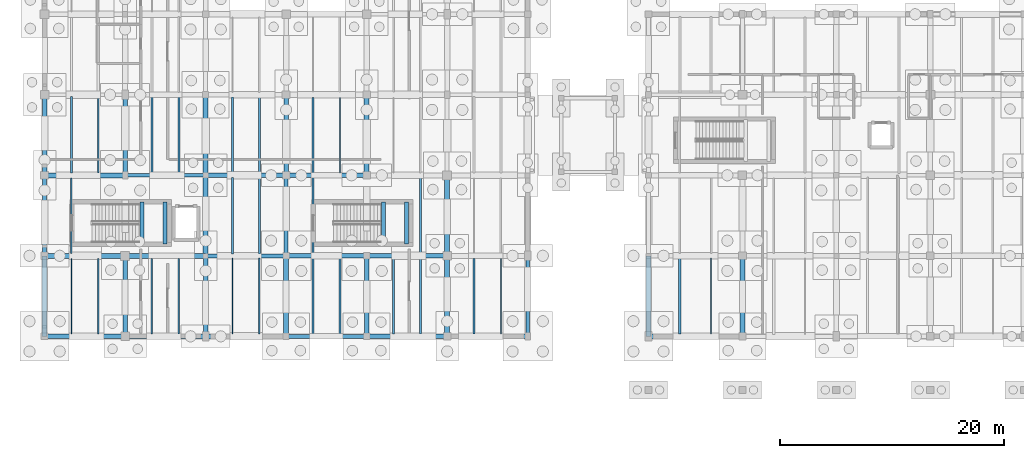
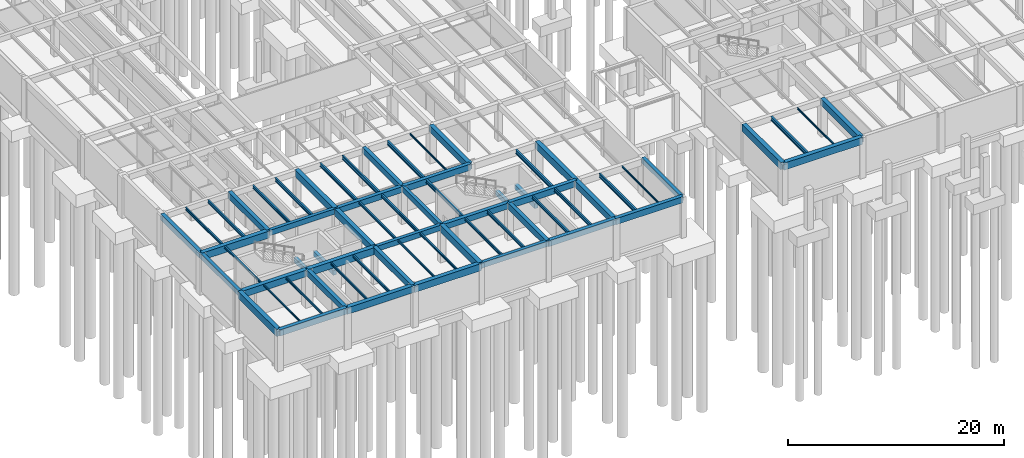
# One storey, part 23 of 63: 65 beams.
"""IFC4 building model written with IfcOpenShell, lengths in metres."""

from ifc_helpers import new_model, si_unit, direction, frame, origin, origin_2d, place, context, subcontext, project, spatial, rectangle, i_section, extrude, material, material_profile, profile_set, type_object, element, save


model = new_model("IFC4")

# Units and contexts
model_context = context("Model", 3, precision=1e-05, world=origin(), true_north=direction((0.0, 1.0)))
body_context = subcontext(model_context, "Body", "Model", "MODEL_VIEW")
ifc_project = project(units=[si_unit("LENGTHUNIT", "METRE"), si_unit("AREAUNIT", "SQUARE_METRE"), si_unit("VOLUMEUNIT", "CUBIC_METRE"), si_unit("PLANEANGLEUNIT", "RADIAN"), si_unit("MASSUNIT", "GRAM", prefix="KILO")], contexts=[model_context])

# Site, building, storey
site_placement = place(None, origin())
site = spatial("IfcSite", under=ifc_project, at=site_placement, CompositionType="ELEMENT")
building_placement = place(site_placement, origin())
building = spatial("IfcBuilding", under=site, at=building_placement, Name="Mazaris Harbour Polytechnic", CompositionType="ELEMENT")
storey_placement = place(building_placement, frame((0.0, 0.0, -4.5)))
storey = spatial("IfcBuildingStorey", under=building, at=storey_placement, Name="B1", CompositionType="ELEMENT", Elevation=-4.5)

# Beams
ifc_material_1 = material(Name="Concrete C35/45", Category="concrete")
ifc_material_profile_1 = material_profile(ifc_material_1, rectangle(XDim=0.35009765625, YDim=0.60009765625, at=origin_2d()), Name="RECT350x600")
ifc_profile_set_1 = profile_set([ifc_material_profile_1], Name="Concrete C35/45")
beam_type_1 = type_object("IfcBeamType", Name="RC Girder 350x600", PredefinedType="BEAM", material=ifc_profile_set_1)
beam_1_placement = place(storey_placement, frame((14.39990234375, 14.39990234375, 3.8798828125), z_axis=(1.0, 0.0, 0.0), x_axis=(0.0, 1.0, 0.0)))
element("IfcBeam", 1, at=beam_1_placement, inside=storey, type_object=beam_type_1, Name="V4 B1 Girder 1090", PredefinedType="BEAM", context=body_context, shape_type="SweptSolid", body=[
    extrude(rectangle(XDim=0.35009765625, YDim=0.60009765625, at=origin_2d()), origin(), (0.0, 0.0, 1.0), 7.2001953125),
])
beam_2_placement = place(storey_placement, frame((7.199951171875, 21.60009765625, 3.8798828125), z_axis=(1.0, 0.0, 0.0), x_axis=(0.0, 1.0, 0.0)))
element("IfcBeam", 2, at=beam_2_placement, inside=storey, type_object=beam_type_1, Name="V4 B1 Girder 1095", PredefinedType="BEAM", context=body_context, shape_type="SweptSolid", body=[
    extrude(rectangle(XDim=0.35009765625, YDim=0.60009765625, at=origin_2d()), origin(), (0.0, 0.0, 1.0), 7.199951171875),
])
beam_3_placement = place(storey_placement, frame((21.60009765625, 14.39990234375, 3.8798828125), z_axis=(0.0, 1.0, 0.0), x_axis=(-1.0, 0.0, 0.0)))
element("IfcBeam", 3, at=beam_3_placement, inside=storey, type_object=beam_type_1, Name="V4 B1 Tie Girder 1190", PredefinedType="BEAM", context=body_context, shape_type="SweptSolid", body=[
    extrude(rectangle(XDim=0.35009765625, YDim=0.60009765625, at=origin_2d()), origin(), (0.0, 0.0, 1.0), 7.2001953125),
])
ifc_material_2 = material(Name="Concrete C35/45", Category="concrete")
ifc_material_profile_2 = material_profile(ifc_material_2, rectangle(XDim=0.35009765625, YDim=0.60009765625, at=origin_2d()), Name="RECT350x600")
ifc_profile_set_2 = profile_set([ifc_material_profile_2], Name="Concrete C35/45")
beam_type_2 = type_object("IfcBeamType", Name="RC Girder 350x600 Exterior", PredefinedType="BEAM", material=ifc_profile_set_2)
beam_4_placement = place(storey_placement, frame((21.60009765625, 7.199951171875, 3.8798828125), z_axis=(1.0, 0.0, 0.0), x_axis=(0.0, 1.0, 0.0)))
element("IfcBeam", 4, at=beam_4_placement, inside=storey, type_object=beam_type_2, Name="V4 B1 Girder 1085", PredefinedType="BEAM", context=body_context, shape_type="SweptSolid", body=[
    extrude(rectangle(XDim=0.35009765625, YDim=0.60009765625, at=origin_2d()), origin(), (0.0, 0.0, 1.0), 7.199951171875),
])
beam_5_placement = place(storey_placement, frame((0.0, 14.39990234375, 3.8798828125), z_axis=(0.0, 1.0, 0.0), x_axis=(-1.0, 0.0, 0.0)))
element("IfcBeam", 5, at=beam_5_placement, inside=storey, type_object=beam_type_2, Name="V4 B1 Tie Girder 1155", PredefinedType="BEAM", context=body_context, shape_type="SweptSolid", body=[
    extrude(rectangle(XDim=0.35009765625, YDim=0.60009765625, at=origin_2d()), origin(), (0.0, 0.0, 1.0), 7.2001953125),
])
beam_6_placement = place(storey_placement, frame((43.199951171875, 7.199951171875, 3.8798828125), z_axis=(0.0, 1.0, 0.0), x_axis=(-1.0, 0.0, 0.0)))
element("IfcBeam", 6, at=beam_6_placement, inside=storey, type_object=beam_type_2, Name="V4 B1 Tie Girder 1220", PredefinedType="BEAM", context=body_context, shape_type="SweptSolid", body=[
    extrude(rectangle(XDim=0.35009765625, YDim=0.60009765625, at=origin_2d()), origin(), (0.0, 0.0, 1.0), 7.199951171875),
])
ifc_material_3 = material(Name="Concrete C35/45", Category="concrete")
ifc_material_profile_3 = material_profile(ifc_material_3, rectangle(XDim=0.39990234375, YDim=0.64990234375, at=origin_2d()), Name="RECT400x650")
ifc_profile_set_3 = profile_set([ifc_material_profile_3], Name="Concrete C35/45")
beam_type_3 = type_object("IfcBeamType", Name="RC Girder 400x650", PredefinedType="BEAM", material=ifc_profile_set_3)
beam_7_placement = place(storey_placement, frame((21.60009765625, 14.39990234375, 3.85498046875), z_axis=(1.0, 0.0, 0.0), x_axis=(0.0, 1.0, 0.0)))
element("IfcBeam", 7, at=beam_7_placement, inside=storey, type_object=beam_type_3, Name="V4 B1 Girder 1091", PredefinedType="BEAM", context=body_context, shape_type="SweptSolid", body=[
    extrude(rectangle(XDim=0.39990234375, YDim=0.64990234375, at=origin_2d()), origin(), (0.0, 0.0, 1.0), 7.199951171875),
])
beam_8_placement = place(storey_placement, frame((14.39990234375, 21.60009765625, 3.85498046875), z_axis=(1.0, 0.0, 0.0), x_axis=(0.0, 1.0, 0.0)))
element("IfcBeam", 8, at=beam_8_placement, inside=storey, type_object=beam_type_3, Name="V4 B1 Girder 1096", PredefinedType="BEAM", context=body_context, shape_type="SweptSolid", body=[
    extrude(rectangle(XDim=0.39990234375, YDim=0.64990234375, at=origin_2d()), origin(), (0.0, 0.0, 1.0), 7.2001953125),
])
for number, where, z_axis, x_axis, name in (
    (9, (7.199951171875, 7.199951171875, 3.85498046875), (0.0, 1.0, 0.0), (-1.0, 0.0, 0.0), "V4 B1 Tie Girder 1166"),
    (10, (21.60009765625, 21.60009765625, 3.85498046875), (0.0, 1.0, 0.0), (-1.0, 0.0, 0.0), "V4 B1 Tie Girder 1191"),
):
    element("IfcBeam", number, at=place(storey_placement, frame(where, z_axis=z_axis, x_axis=x_axis)), inside=storey, type_object=beam_type_3, Name=name, PredefinedType="BEAM", context=body_context, shape_type="SweptSolid", body=[
        extrude(rectangle(XDim=0.39990234375, YDim=0.64990234375, at=origin_2d()), origin(), (0.0, 0.0, 1.0), 7.199951171875),
    ])
ifc_material_4 = material(Name="Concrete C35/45", Category="concrete")
ifc_material_profile_4 = material_profile(ifc_material_4, rectangle(XDim=0.39990234375, YDim=0.64990234375, at=origin_2d()), Name="RECT400x650")
ifc_profile_set_4 = profile_set([ifc_material_profile_4], Name="Concrete C35/45")
beam_type_4 = type_object("IfcBeamType", Name="RC Girder 400x650 Exterior", PredefinedType="BEAM", material=ifc_profile_set_4)
for number, where, z_axis, x_axis, name in (
    (11, (28.800048828125, 7.199951171875, 3.85498046875), (1.0, 0.0, 0.0), (0.0, 1.0, 0.0), "V4 B1 Girder 1086"),
    (12, (0.0, 21.60009765625, 3.85498046875), (0.0, 1.0, 0.0), (-1.0, 0.0, 0.0), "V4 B1 Tie Girder 1156"),
):
    element("IfcBeam", number, at=place(storey_placement, frame(where, z_axis=z_axis, x_axis=x_axis)), inside=storey, type_object=beam_type_4, Name=name, PredefinedType="BEAM", context=body_context, shape_type="SweptSolid", body=[
        extrude(rectangle(XDim=0.39990234375, YDim=0.64990234375, at=origin_2d()), origin(), (0.0, 0.0, 1.0), 7.199951171875),
    ])
ifc_material_5 = material(Name="Concrete C35/45", Category="concrete")
ifc_material_profile_5 = material_profile(ifc_material_5, rectangle(XDim=0.39990234375, YDim=0.699951171875, at=origin_2d()), Name="RECT400x700")
ifc_profile_set_5 = profile_set([ifc_material_profile_5], Name="Concrete C35/45")
beam_type_5 = type_object("IfcBeamType", Name="RC Girder 400x700", PredefinedType="BEAM", material=ifc_profile_set_5)
for number, where, z_axis, x_axis, name in (
    (13, (28.800048828125, 14.39990234375, 3.830078125), (1.0, 0.0, 0.0), (0.0, 1.0, 0.0), "V4 B1 Girder 1092"),
    (14, (21.60009765625, 21.60009765625, 3.830078125), (1.0, 0.0, 0.0), (0.0, 1.0, 0.0), "V4 B1 Girder 1097"),
    (15, (7.199951171875, 21.60009765625, 3.830078125), (0.0, 1.0, 0.0), (-1.0, 0.0, 0.0), "V4 B1 Tie Girder 1167"),
    (16, (14.39990234375, 7.199951171875, 3.830078125), (0.0, 1.0, 0.0), (-1.0, 0.0, 0.0), "V4 B1 Tie Girder 1177"),
    (17, (28.800048828125, 7.199951171875, 3.830078125), (0.0, 1.0, 0.0), (-1.0, 0.0, 0.0), "V4 B1 Tie Girder 1197"),
):
    element("IfcBeam", number, at=place(storey_placement, frame(where, z_axis=z_axis, x_axis=x_axis)), inside=storey, type_object=beam_type_5, Name=name, PredefinedType="BEAM", context=body_context, shape_type="SweptSolid", body=[
        extrude(rectangle(XDim=0.39990234375, YDim=0.699951171875, at=origin_2d()), origin(), (0.0, 0.0, 1.0), 7.199951171875),
    ])
ifc_material_6 = material(Name="Concrete C35/45", Category="concrete")
ifc_material_profile_6 = material_profile(ifc_material_6, rectangle(XDim=0.39990234375, YDim=0.699951171875, at=origin_2d()), Name="RECT400x700")
ifc_profile_set_6 = profile_set([ifc_material_profile_6], Name="Concrete C35/45")
beam_type_6 = type_object("IfcBeamType", Name="RC Girder 400x700 Exterior", PredefinedType="BEAM", material=ifc_profile_set_6)
for number, where, z_axis, x_axis, name in (
    (18, (0.0, 7.199951171875, 3.830078125), (1.0, 0.0, 0.0), (0.0, 1.0, 0.0), "V4 B1 Girder 1082"),
    (19, (36.0, 7.199951171875, 3.830078125), (1.0, 0.0, 0.0), (0.0, 1.0, 0.0), "V4 B1 Girder 1087"),
):
    element("IfcBeam", number, at=place(storey_placement, frame(where, z_axis=z_axis, x_axis=x_axis)), inside=storey, type_object=beam_type_6, Name=name, PredefinedType="BEAM", context=body_context, shape_type="SweptSolid", body=[
        extrude(rectangle(XDim=0.39990234375, YDim=0.699951171875, at=origin_2d()), origin(), (0.0, 0.0, 1.0), 7.199951171875),
    ])
ifc_material_7 = material(Name="Concrete C40/50", Category="concrete")
ifc_material_profile_7 = material_profile(ifc_material_7, rectangle(XDim=0.449951171875, YDim=0.75, at=origin_2d()), Name="RECT450x750")
ifc_profile_set_7 = profile_set([ifc_material_profile_7], Name="Concrete C40/50")
beam_type_7 = type_object("IfcBeamType", Name="RC Girder 450x750", PredefinedType="BEAM", material=ifc_profile_set_7)
for number, where, z_axis, x_axis, name in (
    (20, (62.39990234375, 7.199951171875, 3.804931640625), (0.0, 1.0, 0.0), (-1.0, 0.0, 0.0), "V3 B1 Tie Girder 778"),
    (21, (0.0, 14.39990234375, 3.804931640625), (1.0, 0.0, 0.0), (0.0, 1.0, 0.0), "V4 B1 Girder 1088"),
):
    element("IfcBeam", number, at=place(storey_placement, frame(where, z_axis=z_axis, x_axis=x_axis)), inside=storey, type_object=beam_type_7, Name=name, PredefinedType="BEAM", context=body_context, shape_type="SweptSolid", body=[
        extrude(rectangle(XDim=0.449951171875, YDim=0.75, at=origin_2d()), origin(), (0.0, 0.0, 1.0), 7.199951171875),
    ])
beam_9_placement = place(storey_placement, frame((14.39990234375, 14.39990234375, 3.804931640625), z_axis=(0.0, 1.0, 0.0), x_axis=(-1.0, 0.0, 0.0)))
element("IfcBeam", 22, at=beam_9_placement, inside=storey, type_object=beam_type_7, Name="V4 B1 Tie Girder 1178", PredefinedType="BEAM", context=body_context, shape_type="SweptSolid", body=[
    extrude(rectangle(XDim=0.449951171875, YDim=0.75, at=origin_2d()), origin(), (0.0, 0.0, 1.0), 7.2001953125),
])
for number, where, z_axis, x_axis, name in (
    (23, (28.800048828125, 21.60009765625, 3.804931640625), (0.0, 1.0, 0.0), (-1.0, 0.0, 0.0), "V4 B1 Tie Girder 1198"),
    (24, (36.0, 7.199951171875, 3.804931640625), (0.0, 1.0, 0.0), (-1.0, 0.0, 0.0), "V4 B1 Tie Girder 1208"),
):
    element("IfcBeam", number, at=place(storey_placement, frame(where, z_axis=z_axis, x_axis=x_axis)), inside=storey, type_object=beam_type_7, Name=name, PredefinedType="BEAM", context=body_context, shape_type="SweptSolid", body=[
        extrude(rectangle(XDim=0.449951171875, YDim=0.75, at=origin_2d()), origin(), (0.0, 0.0, 1.0), 7.199951171875),
    ])
ifc_material_8 = material(Name="Concrete C40/50", Category="concrete")
ifc_material_profile_8 = material_profile(ifc_material_8, rectangle(XDim=0.449951171875, YDim=0.75, at=origin_2d()), Name="RECT450x750")
ifc_profile_set_8 = profile_set([ifc_material_profile_8], Name="Concrete C40/50")
beam_type_8 = type_object("IfcBeamType", Name="RC Girder 450x750 Exterior", PredefinedType="BEAM", material=ifc_profile_set_8)
beam_10_placement = place(storey_placement, frame((7.199951171875, 7.199951171875, 3.804931640625), z_axis=(1.0, 0.0, 0.0), x_axis=(0.0, 1.0, 0.0)))
element("IfcBeam", 25, at=beam_10_placement, inside=storey, type_object=beam_type_8, Name="V4 B1 Girder 1083", PredefinedType="BEAM", context=body_context, shape_type="SweptSolid", body=[
    extrude(rectangle(XDim=0.449951171875, YDim=0.75, at=origin_2d()), origin(), (0.0, 0.0, 1.0), 7.199951171875),
])
ifc_material_9 = material(Name="Concrete C40/50", Category="concrete")
ifc_material_profile_9 = material_profile(ifc_material_9, rectangle(XDim=0.449951171875, YDim=0.800048828125, at=origin_2d()), Name="RECT450x800")
ifc_profile_set_9 = profile_set([ifc_material_profile_9], Name="Concrete C40/50")
beam_type_9 = type_object("IfcBeamType", Name="RC Girder 450x800", PredefinedType="BEAM", material=ifc_profile_set_9)
for number, where, z_axis, x_axis, name in (
    (26, (7.199951171875, 14.39990234375, 3.780029296875), (1.0, 0.0, 0.0), (0.0, 1.0, 0.0), "V4 B1 Girder 1089"),
    (27, (0.0, 21.60009765625, 3.780029296875), (1.0, 0.0, 0.0), (0.0, 1.0, 0.0), "V4 B1 Girder 1094"),
    (28, (14.39990234375, 21.60009765625, 3.780029296875), (0.0, 1.0, 0.0), (-1.0, 0.0, 0.0), "V4 B1 Tie Girder 1179"),
    (29, (21.60009765625, 7.199951171875, 3.780029296875), (0.0, 1.0, 0.0), (-1.0, 0.0, 0.0), "V4 B1 Tie Girder 1189"),
):
    element("IfcBeam", number, at=place(storey_placement, frame(where, z_axis=z_axis, x_axis=x_axis)), inside=storey, type_object=beam_type_9, Name=name, PredefinedType="BEAM", context=body_context, shape_type="SweptSolid", body=[
        extrude(rectangle(XDim=0.449951171875, YDim=0.800048828125, at=origin_2d()), origin(), (0.0, 0.0, 1.0), 7.199951171875),
    ])
beam_11_placement = place(storey_placement, frame((36.0, 14.39990234375, 3.780029296875), z_axis=(0.0, 1.0, 0.0), x_axis=(-1.0, 0.0, 0.0)))
element("IfcBeam", 30, at=beam_11_placement, inside=storey, type_object=beam_type_9, Name="V4 B1 Tie Girder 1209", PredefinedType="BEAM", context=body_context, shape_type="SweptSolid", body=[
    extrude(rectangle(XDim=0.449951171875, YDim=0.800048828125, at=origin_2d()), origin(), (0.0, 0.0, 1.0), 7.2001953125),
])
ifc_material_10 = material(Name="Concrete C40/50", Category="concrete")
ifc_material_profile_10 = material_profile(ifc_material_10, rectangle(XDim=0.449951171875, YDim=0.800048828125, at=origin_2d()), Name="RECT450x800")
ifc_profile_set_10 = profile_set([ifc_material_profile_10], Name="Concrete C40/50")
beam_type_10 = type_object("IfcBeamType", Name="RC Girder 450x800 Exterior", PredefinedType="BEAM", material=ifc_profile_set_10)
beam_12_placement = place(storey_placement, frame((54.0, 7.199951171875, 3.780029296875), z_axis=(1.0, 0.0, 0.0), x_axis=(0.0, 1.0, 0.0)))
element("IfcBeam", 31, at=beam_12_placement, inside=storey, type_object=beam_type_10, Name="V3 B1 Girder 739", PredefinedType="BEAM", context=body_context, shape_type="SweptSolid", body=[
    extrude(rectangle(XDim=0.449951171875, YDim=0.800048828125, at=origin_2d()), origin(), (0.0, 0.0, 1.0), 8.39990234375),
])
beam_13_placement = place(storey_placement, frame((54.0, 7.199951171875, 3.780029296875), z_axis=(0.0, 1.0, 0.0), x_axis=(-1.0, 0.0, 0.0)))
element("IfcBeam", 32, at=beam_13_placement, inside=storey, type_object=beam_type_10, Name="V3 B1 Tie Girder 774", PredefinedType="BEAM", context=body_context, shape_type="SweptSolid", body=[
    extrude(rectangle(XDim=0.449951171875, YDim=0.800048828125, at=origin_2d()), origin(), (0.0, 0.0, 1.0), 7.199951171875),
])
beam_14_placement = place(storey_placement, frame((14.39990234375, 7.199951171875, 3.780029296875), z_axis=(1.0, 0.0, 0.0), x_axis=(0.0, 1.0, 0.0)))
element("IfcBeam", 33, at=beam_14_placement, inside=storey, type_object=beam_type_10, Name="V4 B1 Girder 1084", PredefinedType="BEAM", context=body_context, shape_type="SweptSolid", body=[
    extrude(rectangle(XDim=0.449951171875, YDim=0.800048828125, at=origin_2d()), origin(), (0.0, 0.0, 1.0), 7.2001953125),
])
beam_15_placement = place(storey_placement, frame((0.0, 7.199951171875, 3.780029296875), z_axis=(0.0, 1.0, 0.0), x_axis=(-1.0, 0.0, 0.0)))
element("IfcBeam", 34, at=beam_15_placement, inside=storey, type_object=beam_type_10, Name="V4 B1 Tie Girder 1154", PredefinedType="BEAM", context=body_context, shape_type="SweptSolid", body=[
    extrude(rectangle(XDim=0.449951171875, YDim=0.800048828125, at=origin_2d()), origin(), (0.0, 0.0, 1.0), 7.199951171875),
])
ifc_material_11 = material(Name="Concrete C40/50", Category="concrete")
ifc_material_profile_11 = material_profile(ifc_material_11, rectangle(XDim=0.35009765625, YDim=0.52001953125, at=origin_2d()), Name="RECT350x520")
ifc_profile_set_11 = profile_set([ifc_material_profile_11], Name="Concrete C40/50")
beam_type_11 = type_object("IfcBeamType", Name="RC Landing Bearer 350x520", PredefinedType="BEAM", material=ifc_profile_set_11)
for number, where, z_axis, x_axis, name in (
    (35, (8.699951171875, 15.449951171875, 1.7900390625), (0.0, 1.0, 0.0), (-1.0, 0.0, 0.0), "Core ST07 B1 Landing Bearer"),
    (36, (10.75, 15.449951171875, 1.7900390625), (0.0, 1.0, 0.0), (-1.0, 0.0, 0.0), "Core ST07 B1 Landing Bearer"),
    (37, (30.300048828125, 15.449951171875, 1.7900390625), (0.0, 1.0, 0.0), (-1.0, 0.0, 0.0), "Core ST08 B1 Landing Bearer"),
    (38, (32.35009765625, 15.449951171875, 1.7900390625), (0.0, 1.0, 0.0), (-1.0, 0.0, 0.0), "Core ST08 B1 Landing Bearer"),
):
    element("IfcBeam", number, at=place(storey_placement, frame(where, z_axis=z_axis, x_axis=x_axis)), inside=storey, type_object=beam_type_11, Name=name, PredefinedType="BEAM", context=body_context, shape_type="SweptSolid", body=[
        extrude(rectangle(XDim=0.35009765625, YDim=0.52001953125, at=origin_2d()), origin(), (0.0, 0.0, 1.0), 3.75),
    ])
ifc_material_12 = material(Name="Steel S355", Category="steel")
ifc_material_profile_12 = material_profile(ifc_material_12, i_section(OverallWidth=0.10009765625, OverallDepth=0.199951171875, WebThickness=0.005615234375, FlangeThickness=0.008544921875, FilletRadius=0.011962890625, at=origin_2d()), Name="IPE 200")
ifc_profile_set_12 = profile_set([ifc_material_profile_12], Name="Steel S355")
beam_type_12 = type_object("IfcBeamType", Name="Steel Joist IPE200", PredefinedType="JOIST", material=ifc_profile_set_12)
beam_16_placement = place(storey_placement, frame((59.60009765625, 7.425048828125, 4.080078125), z_axis=(0.0, 1.0, 0.0), x_axis=(-1.0, 0.0, 0.0)))
element("IfcBeam", 39, at=beam_16_placement, inside=storey, type_object=beam_type_12, Name="V3 B1 Floor Joist 805", PredefinedType="JOIST", context=body_context, shape_type="SweptSolid", body=[
    extrude(i_section(OverallWidth=0.10009765625, OverallDepth=0.199951171875, WebThickness=0.005615234375, FlangeThickness=0.008544921875, FilletRadius=0.011962890625, at=origin_2d()), origin(), (0.0, 0.0, 1.0), 6.77490234375),
])
beam_17_placement = place(storey_placement, frame((2.39990234375, 7.39990234375, 4.080078125), z_axis=(0.0, 1.0, 0.0), x_axis=(-1.0, 0.0, 0.0)))
element("IfcBeam", 40, at=beam_17_placement, inside=storey, type_object=beam_type_12, Name="V4 B1 Floor Joist 1232", PredefinedType="JOIST", context=body_context, shape_type="SweptSolid", body=[
    extrude(i_section(OverallWidth=0.10009765625, OverallDepth=0.199951171875, WebThickness=0.005615234375, FlangeThickness=0.008544921875, FilletRadius=0.011962890625, at=origin_2d()), origin(), (0.0, 0.0, 1.0), 6.775146484375),
])
beam_18_placement = place(storey_placement, frame((26.39990234375, 21.800048828125, 4.080078125), z_axis=(0.0, 1.0, 0.0), x_axis=(-1.0, 0.0, 0.0)))
element("IfcBeam", 41, at=beam_18_placement, inside=storey, type_object=beam_type_12, Name="V4 B1 Floor Joist 1295", PredefinedType="JOIST", context=body_context, shape_type="SweptSolid", body=[
    extrude(i_section(OverallWidth=0.10009765625, OverallDepth=0.199951171875, WebThickness=0.005615234375, FlangeThickness=0.008544921875, FilletRadius=0.011962890625, at=origin_2d()), origin(), (0.0, 0.0, 1.0), 6.77490234375),
])
beam_19_placement = place(storey_placement, frame((40.800048828125, 7.39990234375, 4.080078125), z_axis=(0.0, 1.0, 0.0), x_axis=(-1.0, 0.0, 0.0)))
element("IfcBeam", 42, at=beam_19_placement, inside=storey, type_object=beam_type_12, Name="V4 B1 Floor Joist 1330", PredefinedType="JOIST", context=body_context, shape_type="SweptSolid", body=[
    extrude(i_section(OverallWidth=0.10009765625, OverallDepth=0.199951171875, WebThickness=0.005615234375, FlangeThickness=0.008544921875, FilletRadius=0.011962890625, at=origin_2d()), origin(), (0.0, 0.0, 1.0), 6.775146484375),
])
ifc_material_13 = material(Name="Steel S355", Category="steel")
ifc_material_profile_13 = material_profile(ifc_material_13, i_section(OverallWidth=0.1201171875, OverallDepth=0.239990234375, WebThickness=0.006103515625, FlangeThickness=0.009765625, FilletRadius=0.014892578125, at=origin_2d()), Name="IPE 240")
ifc_profile_set_13 = profile_set([ifc_material_profile_13], Name="Steel S355")
beam_type_13 = type_object("IfcBeamType", Name="Steel Joist IPE240", PredefinedType="JOIST", material=ifc_profile_set_13)
beam_20_placement = place(storey_placement, frame((4.800048828125, 7.39990234375, 4.06005859375), z_axis=(0.0, 1.0, 0.0), x_axis=(-1.0, 0.0, 0.0)))
element("IfcBeam", 43, at=beam_20_placement, inside=storey, type_object=beam_type_13, Name="V4 B1 Floor Joist 1233", PredefinedType="JOIST", context=body_context, shape_type="SweptSolid", body=[
    extrude(i_section(OverallWidth=0.1201171875, OverallDepth=0.239990234375, WebThickness=0.006103515625, FlangeThickness=0.009765625, FilletRadius=0.014892578125, at=origin_2d()), origin(), (0.0, 0.0, 1.0), 6.775146484375),
])
beam_21_placement = place(storey_placement, frame((16.800048828125, 7.425048828125, 4.06005859375), z_axis=(0.0, 1.0, 0.0), x_axis=(-1.0, 0.0, 0.0)))
element("IfcBeam", 44, at=beam_21_placement, inside=storey, type_object=beam_type_13, Name="V4 B1 Floor Joist 1275", PredefinedType="JOIST", context=body_context, shape_type="SweptSolid", body=[
    extrude(i_section(OverallWidth=0.1201171875, OverallDepth=0.239990234375, WebThickness=0.006103515625, FlangeThickness=0.009765625, FilletRadius=0.014892578125, at=origin_2d()), origin(), (0.0, 0.0, 1.0), 6.800048828125),
])
ifc_material_14 = material(Name="Steel S355", Category="steel")
ifc_material_profile_14 = material_profile(ifc_material_14, i_section(OverallWidth=0.135009765625, OverallDepth=0.27001953125, WebThickness=0.006591796875, FlangeThickness=0.01025390625, FilletRadius=0.014892578125, at=origin_2d()), Name="IPE 270")
ifc_profile_set_14 = profile_set([ifc_material_profile_14], Name="Steel S355")
beam_type_14 = type_object("IfcBeamType", Name="Steel Joist IPE270", PredefinedType="JOIST", material=ifc_profile_set_14)
for number, where, z_axis, x_axis, name in (
    (45, (2.39990234375, 14.625, 4.044921875), (0.0, 1.0, 0.0), (-1.0, 0.0, 0.0), "V4 B1 Floor Joist 1234"),
    (46, (9.60009765625, 7.425048828125, 4.044921875), (0.0, 1.0, 0.0), (-1.0, 0.0, 0.0), "V4 B1 Floor Joist 1255"),
):
    element("IfcBeam", number, at=place(storey_placement, frame(where, z_axis=z_axis, x_axis=x_axis)), inside=storey, type_object=beam_type_14, Name=name, PredefinedType="JOIST", context=body_context, shape_type="SweptSolid", body=[
        extrude(i_section(OverallWidth=0.135009765625, OverallDepth=0.27001953125, WebThickness=0.006591796875, FlangeThickness=0.01025390625, FilletRadius=0.014892578125, at=origin_2d()), origin(), (0.0, 0.0, 1.0), 6.75),
    ])
beam_22_placement = place(storey_placement, frame((19.199951171875, 7.425048828125, 4.044921875), z_axis=(0.0, 1.0, 0.0), x_axis=(-1.0, 0.0, 0.0)))
element("IfcBeam", 47, at=beam_22_placement, inside=storey, type_object=beam_type_14, Name="V4 B1 Floor Joist 1276", PredefinedType="JOIST", context=body_context, shape_type="SweptSolid", body=[
    extrude(i_section(OverallWidth=0.135009765625, OverallDepth=0.27001953125, WebThickness=0.006591796875, FlangeThickness=0.01025390625, FilletRadius=0.014892578125, at=origin_2d()), origin(), (0.0, 0.0, 1.0), 6.800048828125),
])
ifc_material_15 = material(Name="Steel S355", Category="steel")
ifc_material_profile_15 = material_profile(ifc_material_15, i_section(OverallWidth=0.14990234375, OverallDepth=0.300048828125, WebThickness=0.007080078125, FlangeThickness=0.0107421875, FilletRadius=0.014892578125, at=origin_2d()), Name="IPE 300")
ifc_profile_set_15 = profile_set([ifc_material_profile_15], Name="Steel S355")
beam_type_15 = type_object("IfcBeamType", Name="Steel Joist IPE300", PredefinedType="JOIST", material=ifc_profile_set_15)
beam_23_placement = place(storey_placement, frame((2.39990234375, 21.824951171875, 4.030029296875), z_axis=(0.0, 1.0, 0.0), x_axis=(-1.0, 0.0, 0.0)))
element("IfcBeam", 48, at=beam_23_placement, inside=storey, type_object=beam_type_15, Name="V4 B1 Floor Joist 1235", PredefinedType="JOIST", context=body_context, shape_type="SweptSolid", body=[
    extrude(i_section(OverallWidth=0.14990234375, OverallDepth=0.300048828125, WebThickness=0.007080078125, FlangeThickness=0.0107421875, FilletRadius=0.014892578125, at=origin_2d()), origin(), (0.0, 0.0, 1.0), 6.800048828125),
])
beam_24_placement = place(storey_placement, frame((12.0, 7.425048828125, 4.030029296875), z_axis=(0.0, 1.0, 0.0), x_axis=(-1.0, 0.0, 0.0)))
element("IfcBeam", 49, at=beam_24_placement, inside=storey, type_object=beam_type_15, Name="V4 B1 Floor Joist 1256", PredefinedType="JOIST", context=body_context, shape_type="SweptSolid", body=[
    extrude(i_section(OverallWidth=0.14990234375, OverallDepth=0.300048828125, WebThickness=0.007080078125, FlangeThickness=0.0107421875, FilletRadius=0.014892578125, at=origin_2d()), origin(), (0.0, 0.0, 1.0), 6.75),
])
for number, where, z_axis, x_axis, name in (
    (50, (16.800048828125, 14.574951171875, 4.030029296875), (0.0, 1.0, 0.0), (-1.0, 0.0, 0.0), "V4 B1 Floor Joist 1277"),
    (51, (24.0, 7.375, 4.030029296875), (0.0, 1.0, 0.0), (-1.0, 0.0, 0.0), "V4 B1 Floor Joist 1291"),
):
    element("IfcBeam", number, at=place(storey_placement, frame(where, z_axis=z_axis, x_axis=x_axis)), inside=storey, type_object=beam_type_15, Name=name, PredefinedType="JOIST", context=body_context, shape_type="SweptSolid", body=[
        extrude(i_section(OverallWidth=0.14990234375, OverallDepth=0.300048828125, WebThickness=0.007080078125, FlangeThickness=0.0107421875, FilletRadius=0.014892578125, at=origin_2d()), origin(), (0.0, 0.0, 1.0), 6.824951171875),
    ])
ifc_material_16 = material(Name="Steel S355", Category="steel")
ifc_material_profile_16 = material_profile(ifc_material_16, i_section(OverallWidth=0.169921875, OverallDepth=0.360107421875, WebThickness=0.008056640625, FlangeThickness=0.0126953125, FilletRadius=0.01806640625, at=origin_2d()), Name="IPE 360")
ifc_profile_set_16 = profile_set([ifc_material_profile_16], Name="Steel S355")
beam_type_16 = type_object("IfcBeamType", Name="Steel Joist IPE360", PredefinedType="JOIST", material=ifc_profile_set_16)
beam_25_placement = place(storey_placement, frame((4.800048828125, 21.824951171875, 4.0), z_axis=(0.0, 1.0, 0.0), x_axis=(-1.0, 0.0, 0.0)))
element("IfcBeam", 52, at=beam_25_placement, inside=storey, type_object=beam_type_16, Name="V4 B1 Floor Joist 1236", PredefinedType="JOIST", context=body_context, shape_type="SweptSolid", body=[
    extrude(i_section(OverallWidth=0.169921875, OverallDepth=0.360107421875, WebThickness=0.008056640625, FlangeThickness=0.0126953125, FilletRadius=0.01806640625, at=origin_2d()), origin(), (0.0, 0.0, 1.0), 6.800048828125),
])
beam_26_placement = place(storey_placement, frame((9.60009765625, 21.77490234375, 4.0), z_axis=(0.0, 1.0, 0.0), x_axis=(-1.0, 0.0, 0.0)))
element("IfcBeam", 53, at=beam_26_placement, inside=storey, type_object=beam_type_16, Name="V4 B1 Floor Joist 1257", PredefinedType="JOIST", context=body_context, shape_type="SweptSolid", body=[
    extrude(i_section(OverallWidth=0.169921875, OverallDepth=0.360107421875, WebThickness=0.008056640625, FlangeThickness=0.0126953125, FilletRadius=0.01806640625, at=origin_2d()), origin(), (0.0, 0.0, 1.0), 6.8251953125),
])
for number, where, z_axis, x_axis, name in (
    (54, (19.199951171875, 14.574951171875, 4.0), (0.0, 1.0, 0.0), (-1.0, 0.0, 0.0), "V4 B1 Floor Joist 1278"),
    (55, (26.39990234375, 7.375, 4.0), (0.0, 1.0, 0.0), (-1.0, 0.0, 0.0), "V4 B1 Floor Joist 1292"),
):
    element("IfcBeam", number, at=place(storey_placement, frame(where, z_axis=z_axis, x_axis=x_axis)), inside=storey, type_object=beam_type_16, Name=name, PredefinedType="JOIST", context=body_context, shape_type="SweptSolid", body=[
        extrude(i_section(OverallWidth=0.169921875, OverallDepth=0.360107421875, WebThickness=0.008056640625, FlangeThickness=0.0126953125, FilletRadius=0.01806640625, at=origin_2d()), origin(), (0.0, 0.0, 1.0), 6.824951171875),
    ])
beam_27_placement = place(storey_placement, frame((31.199951171875, 7.39990234375, 4.0), z_axis=(0.0, 1.0, 0.0), x_axis=(-1.0, 0.0, 0.0)))
element("IfcBeam", 56, at=beam_27_placement, inside=storey, type_object=beam_type_16, Name="V4 B1 Floor Joist 1306", PredefinedType="JOIST", context=body_context, shape_type="SweptSolid", body=[
    extrude(i_section(OverallWidth=0.169921875, OverallDepth=0.360107421875, WebThickness=0.008056640625, FlangeThickness=0.0126953125, FilletRadius=0.01806640625, at=origin_2d()), origin(), (0.0, 0.0, 1.0), 6.800048828125),
])
ifc_material_17 = material(Name="Steel S355", Category="steel")
ifc_material_profile_17 = material_profile(ifc_material_17, i_section(OverallWidth=0.179931640625, OverallDepth=0.39990234375, WebThickness=0.008544921875, FlangeThickness=0.013427734375, FilletRadius=0.02099609375, at=origin_2d()), Name="IPE 400")
ifc_profile_set_17 = profile_set([ifc_material_profile_17], Name="Steel S355")
beam_type_17 = type_object("IfcBeamType", Name="Steel Joist IPE400", PredefinedType="JOIST", material=ifc_profile_set_17)
beam_28_placement = place(storey_placement, frame((12.0, 21.77490234375, 3.97998046875), z_axis=(0.0, 1.0, 0.0), x_axis=(-1.0, 0.0, 0.0)))
element("IfcBeam", 57, at=beam_28_placement, inside=storey, type_object=beam_type_17, Name="V4 B1 Floor Joist 1258", PredefinedType="JOIST", context=body_context, shape_type="SweptSolid", body=[
    extrude(i_section(OverallWidth=0.179931640625, OverallDepth=0.39990234375, WebThickness=0.008544921875, FlangeThickness=0.013427734375, FilletRadius=0.02099609375, at=origin_2d()), origin(), (0.0, 0.0, 1.0), 6.8251953125),
])
beam_29_placement = place(storey_placement, frame((16.800048828125, 21.800048828125, 3.97998046875), z_axis=(0.0, 1.0, 0.0), x_axis=(-1.0, 0.0, 0.0)))
element("IfcBeam", 58, at=beam_29_placement, inside=storey, type_object=beam_type_17, Name="V4 B1 Floor Joist 1279", PredefinedType="JOIST", context=body_context, shape_type="SweptSolid", body=[
    extrude(i_section(OverallWidth=0.179931640625, OverallDepth=0.39990234375, WebThickness=0.008544921875, FlangeThickness=0.013427734375, FilletRadius=0.02099609375, at=origin_2d()), origin(), (0.0, 0.0, 1.0), 6.800048828125),
])
beam_30_placement = place(storey_placement, frame((24.0, 14.60009765625, 3.97998046875), z_axis=(0.0, 1.0, 0.0), x_axis=(-1.0, 0.0, 0.0)))
element("IfcBeam", 59, at=beam_30_placement, inside=storey, type_object=beam_type_17, Name="V4 B1 Floor Joist 1293", PredefinedType="JOIST", context=body_context, shape_type="SweptSolid", body=[
    extrude(i_section(OverallWidth=0.179931640625, OverallDepth=0.39990234375, WebThickness=0.008544921875, FlangeThickness=0.013427734375, FilletRadius=0.02099609375, at=origin_2d()), origin(), (0.0, 0.0, 1.0), 6.7998046875),
])
beam_31_placement = place(storey_placement, frame((33.60009765625, 7.39990234375, 3.97998046875), z_axis=(0.0, 1.0, 0.0), x_axis=(-1.0, 0.0, 0.0)))
element("IfcBeam", 60, at=beam_31_placement, inside=storey, type_object=beam_type_17, Name="V4 B1 Floor Joist 1307", PredefinedType="JOIST", context=body_context, shape_type="SweptSolid", body=[
    extrude(i_section(OverallWidth=0.179931640625, OverallDepth=0.39990234375, WebThickness=0.008544921875, FlangeThickness=0.013427734375, FilletRadius=0.02099609375, at=origin_2d()), origin(), (0.0, 0.0, 1.0), 6.800048828125),
])
ifc_material_18 = material(Name="Steel S355", Category="steel")
ifc_material_profile_18 = material_profile(ifc_material_18, i_section(OverallWidth=0.18994140625, OverallDepth=0.449951171875, WebThickness=0.009521484375, FlangeThickness=0.0146484375, FilletRadius=0.02099609375, at=origin_2d()), Name="IPE 450")
ifc_profile_set_18 = profile_set([ifc_material_profile_18], Name="Steel S355")
beam_type_18 = type_object("IfcBeamType", Name="Steel Joist IPE450", PredefinedType="JOIST", material=ifc_profile_set_18)
beam_32_placement = place(storey_placement, frame((56.800048828125, 7.425048828125, 3.955078125), z_axis=(0.0, 1.0, 0.0), x_axis=(-1.0, 0.0, 0.0)))
element("IfcBeam", 61, at=beam_32_placement, inside=storey, type_object=beam_type_18, Name="V3 B1 Floor Joist 804", PredefinedType="JOIST", context=body_context, shape_type="SweptSolid", body=[
    extrude(i_section(OverallWidth=0.18994140625, OverallDepth=0.449951171875, WebThickness=0.009521484375, FlangeThickness=0.0146484375, FilletRadius=0.02099609375, at=origin_2d()), origin(), (0.0, 0.0, 1.0), 6.77490234375),
])
beam_33_placement = place(storey_placement, frame((19.199951171875, 21.800048828125, 3.955078125), z_axis=(0.0, 1.0, 0.0), x_axis=(-1.0, 0.0, 0.0)))
element("IfcBeam", 62, at=beam_33_placement, inside=storey, type_object=beam_type_18, Name="V4 B1 Floor Joist 1280", PredefinedType="JOIST", context=body_context, shape_type="SweptSolid", body=[
    extrude(i_section(OverallWidth=0.18994140625, OverallDepth=0.449951171875, WebThickness=0.009521484375, FlangeThickness=0.0146484375, FilletRadius=0.02099609375, at=origin_2d()), origin(), (0.0, 0.0, 1.0), 6.800048828125),
])
for number, where, z_axis, x_axis, name in (
    (63, (24.0, 21.800048828125, 3.955078125), (0.0, 1.0, 0.0), (-1.0, 0.0, 0.0), "V4 B1 Floor Joist 1294"),
    (64, (33.60009765625, 14.60009765625, 3.955078125), (0.0, 1.0, 0.0), (-1.0, 0.0, 0.0), "V4 B1 Floor Joist 1308"),
):
    element("IfcBeam", number, at=place(storey_placement, frame(where, z_axis=z_axis, x_axis=x_axis)), inside=storey, type_object=beam_type_18, Name=name, PredefinedType="JOIST", context=body_context, shape_type="SweptSolid", body=[
        extrude(i_section(OverallWidth=0.18994140625, OverallDepth=0.449951171875, WebThickness=0.009521484375, FlangeThickness=0.0146484375, FilletRadius=0.02099609375, at=origin_2d()), origin(), (0.0, 0.0, 1.0), 6.77490234375),
    ])
beam_34_placement = place(storey_placement, frame((38.39990234375, 7.39990234375, 3.955078125), z_axis=(0.0, 1.0, 0.0), x_axis=(-1.0, 0.0, 0.0)))
element("IfcBeam", 65, at=beam_34_placement, inside=storey, type_object=beam_type_18, Name="V4 B1 Floor Joist 1329", PredefinedType="JOIST", context=body_context, shape_type="SweptSolid", body=[
    extrude(i_section(OverallWidth=0.18994140625, OverallDepth=0.449951171875, WebThickness=0.009521484375, FlangeThickness=0.0146484375, FilletRadius=0.02099609375, at=origin_2d()), origin(), (0.0, 0.0, 1.0), 6.775146484375),
])

save(model, "model.ifc")
